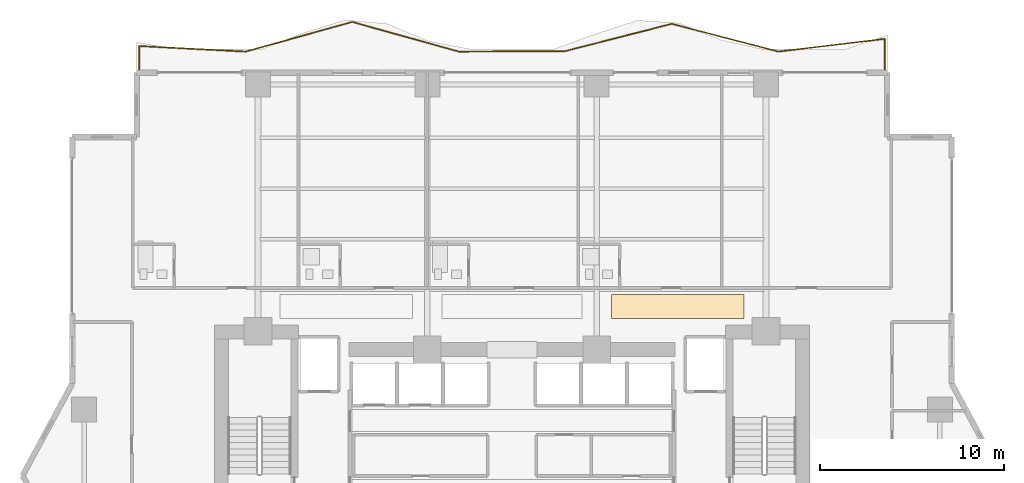
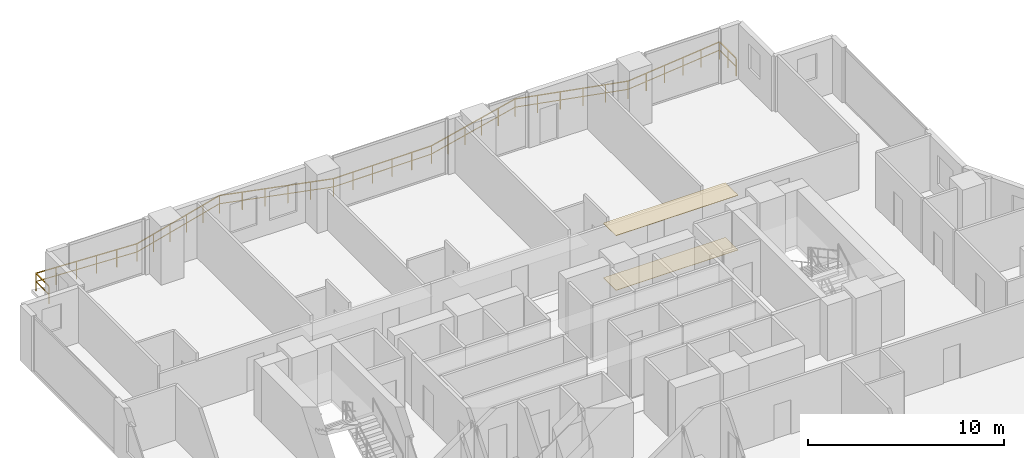
# One storey, part 27 of 28: 2 coverings, 1 railing.
"""IFC4 building model written with IfcOpenShell, lengths in metres."""

from ifc_helpers import new_model, si_unit, direction, frame, origin, origin_2d, place, context, subcontext, project, spatial, polyline, rectangle, outline, extrude, material, layer, layer_set, type_object, element, save


model = new_model("IFC4")

# Units and contexts
model_context = context("Model", 3, precision=1e-05, world=origin(), true_north=direction((0.0, 1.0)))
body_context = subcontext(model_context, "Body", "Model", "MODEL_VIEW")
ifc_project = project(units=[si_unit("LENGTHUNIT", "METRE"), si_unit("AREAUNIT", "SQUARE_METRE"), si_unit("VOLUMEUNIT", "CUBIC_METRE"), si_unit("PLANEANGLEUNIT", "RADIAN"), si_unit("MASSUNIT", "GRAM", prefix="KILO")], contexts=[model_context])

# Site, building, storey
site_placement = place(None, origin())
site = spatial("IfcSite", under=ifc_project, at=site_placement, CompositionType="ELEMENT")
building_placement = place(site_placement, origin())
building = spatial("IfcBuilding", under=site, at=building_placement, Name="Zuhayl Quay Hotel", CompositionType="ELEMENT")
storey_placement = place(building_placement, frame((0.0, 0.0, 121.199951171875)))
storey = spatial("IfcBuildingStorey", under=building, at=storey_placement, Name="L30", CompositionType="ELEMENT", Elevation=121.199951171875)

# Coverings
ifc_material_1 = material(Name="Acoustic Mineral-Fibre Gypsum Board")
ifc_layer_1 = layer(ifc_material_1, 0.02490234375, Name="Acoustic Mineral-Fibre Gypsum Board")
ifc_layer_set_1 = layer_set([ifc_layer_1], Name="Acoustic Mineral-Fibre Gypsum Board")
covering_type_1 = type_object("IfcCoveringType", Name="CV_CEIL_ACOUSTIC", PredefinedType="CEILING", material=ifc_layer_set_1)
covering_1_placement = place(storey_placement, frame((0.0, 0.0, 3.405029296875)))
element("IfcCovering", 1, at=covering_1_placement, inside=storey, type_object=covering_type_1, Name="L30 Guest Corridor Acoustic Ceiling CE", PredefinedType="CEILING", context=body_context, shape_type="SweptSolid", body=[
    extrude(outline(polyline([(5.39990234375, 15.050048828125), (12.60009765625, 15.050048828125), (12.60009765625, 16.35009765625), (5.39990234375, 16.35009765625), (5.39990234375, 15.050048828125)])), origin(), (0.0, 0.0, 1.0), 0.02490234375),
])
ifc_material_2 = material(Name="Polished Limestone Terrazzo", Category="masonry")
ifc_layer_2 = layer(ifc_material_2, 0.02001953125, Name="Polished Limestone Terrazzo", Category="masonry")
ifc_layer_set_2 = layer_set([ifc_layer_2], Name="Polished Limestone Terrazzo")
covering_type_2 = type_object("IfcCoveringType", Name="CV_FLOOR_TERRAZZO", PredefinedType="FLOORING", material=ifc_layer_set_2)
covering_2_placement = place(storey_placement, origin())
element("IfcCovering", 2, at=covering_2_placement, inside=storey, type_object=covering_type_2, Name="L30 Guest Corridor Terrazzo Runner CE", PredefinedType="FLOORING", context=body_context, shape_type="SweptSolid", body=[
    extrude(outline(polyline([(5.39990234375, 15.050048828125), (12.60009765625, 15.050048828125), (12.60009765625, 16.35009765625), (5.39990234375, 16.35009765625), (5.39990234375, 15.050048828125)])), origin(), (0.0, 0.0, 1.0), 0.02001953125),
])

# Railing
ifc_material_3 = material(Name="Anodised Aluminium and Laminated Glass", Category="aluminium")
railing_type = type_object("IfcRailingType", Name="RL_EXT_BAL_1100", PredefinedType="BALUSTRADE", material=ifc_material_3)
railing_placement = place(storey_placement, frame((-20.260009765625, 28.52001953125, 0.0)))
element("IfcRailing", 3, at=railing_placement, inside=storey, type_object=railing_type, Name="L30 Balcony and Terrace Guard GR_L30_BAL_N", PredefinedType="BALUSTRADE", context=body_context, shape_type="SweptSolid", body=[
    extrude(rectangle(XDim=0.048095703125, YDim=0.048095703125, at=origin_2d()), frame((0.0, 0.0, 1.09619140625), z_axis=(0.0, 1.0, 0.0), x_axis=(-1.0, 0.0, 0.0)), (0.0, 0.0, 1.0), 1.3212890625),
    extrude(rectangle(XDim=0.0361328125, YDim=0.0361328125, at=origin_2d()), frame((0.0, 0.0, 0.58251953125), z_axis=(0.0, 1.0, 0.0), x_axis=(-1.0, 0.0, 0.0)), (0.0, 0.0, 1.0), 1.3212890625),
    extrude(rectangle(XDim=0.048095703125, YDim=0.048095703125, at=origin_2d()), frame((0.0, 1.3212890625, 1.09619140625), z_axis=(0.998648375621, -0.051975204366, 0.0), x_axis=(0.051975204366, 0.998648375621, 0.0)), (0.0, 0.0, 1.0), 5.79638671875),
    extrude(rectangle(XDim=0.0361328125, YDim=0.0361328125, at=origin_2d()), frame((0.0, 1.3212890625, 0.58251953125), z_axis=(0.998648375621, -0.051975204366, 0.0), x_axis=(0.051975204366, 0.998648375621, 0.0)), (0.0, 0.0, 1.0), 5.79638671875),
    extrude(rectangle(XDim=0.048095703125, YDim=0.048095703125, at=origin_2d()), frame((5.78857421875, 1.02001953125, 1.09619140625), z_axis=(0.963330241212, 0.2683185539, 0.0), x_axis=(-0.2683185539, 0.963330241212, 0.0)), (0.0, 0.0, 1.0), 6.009033203125),
    extrude(rectangle(XDim=0.0361328125, YDim=0.0361328125, at=origin_2d()), frame((5.78857421875, 1.02001953125, 0.58251953125), z_axis=(0.963330241212, 0.2683185539, 0.0), x_axis=(-0.2683185539, 0.963330241212, 0.0)), (0.0, 0.0, 1.0), 6.009033203125),
    extrude(rectangle(XDim=0.048095703125, YDim=0.048095703125, at=origin_2d()), frame((11.5771484375, 2.63232421875, 1.09619140625), z_axis=(0.963330241212, -0.2683185539, 0.0), x_axis=(0.2683185539, 0.963330241212, 0.0)), (0.0, 0.0, 1.0), 6.009033203125),
    extrude(rectangle(XDim=0.0361328125, YDim=0.0361328125, at=origin_2d()), frame((11.5771484375, 2.63232421875, 0.58251953125), z_axis=(0.963330241212, -0.2683185539, 0.0), x_axis=(0.2683185539, 0.963330241212, 0.0)), (0.0, 0.0, 1.0), 6.009033203125),
    extrude(rectangle(XDim=0.048095703125, YDim=0.048095703125, at=origin_2d()), frame((17.36572265625, 1.02001953125, 1.09619140625), z_axis=(0.999988237628, 0.004850217095, 0.0), x_axis=(-0.004850217095, 0.999988237628, 0.0)), (0.0, 0.0, 1.0), 5.78857421875),
    extrude(rectangle(XDim=0.0361328125, YDim=0.0361328125, at=origin_2d()), frame((17.36572265625, 1.02001953125, 0.58251953125), z_axis=(0.999988237628, 0.004850217095, 0.0), x_axis=(-0.004850217095, 0.999988237628, 0.0)), (0.0, 0.0, 1.0), 5.78857421875),
    extrude(rectangle(XDim=0.048095703125, YDim=0.048095703125, at=origin_2d()), frame((23.154296875, 1.048095703125, 1.09619140625), z_axis=(0.968815936275, 0.247781519931, 0.0), x_axis=(-0.247781519931, 0.968815936275, 0.0)), (0.0, 0.0, 1.0), 5.974853515625),
    extrude(rectangle(XDim=0.0361328125, YDim=0.0361328125, at=origin_2d()), frame((23.154296875, 1.048095703125, 0.58251953125), z_axis=(0.968815936275, 0.247781519931, 0.0), x_axis=(-0.247781519931, 0.968815936275, 0.0)), (0.0, 0.0, 1.0), 5.974853515625),
    extrude(rectangle(XDim=0.048095703125, YDim=0.048095703125, at=origin_2d()), frame((28.94287109375, 2.528564453125, 1.09619140625), z_axis=(0.967679221393, -0.252184306579, 0.0), x_axis=(0.252184306579, 0.967679221393, 0.0)), (0.0, 0.0, 1.0), 5.98193359375),
    extrude(rectangle(XDim=0.0361328125, YDim=0.0361328125, at=origin_2d()), frame((28.94287109375, 2.528564453125, 0.58251953125), z_axis=(0.967679221393, -0.252184306579, 0.0), x_axis=(0.252184306579, 0.967679221393, 0.0)), (0.0, 0.0, 1.0), 5.98193359375),
    extrude(rectangle(XDim=0.048095703125, YDim=0.048095703125, at=origin_2d()), frame((34.7314453125, 1.02001953125, 1.09619140625), z_axis=(0.99296179669, 0.118435089036, 0.0), x_axis=(-0.118435089036, 0.99296179669, 0.0)), (0.0, 0.0, 1.0), 5.82958984375),
    extrude(rectangle(XDim=0.0361328125, YDim=0.0361328125, at=origin_2d()), frame((34.7314453125, 1.02001953125, 0.58251953125), z_axis=(0.99296179669, 0.118435089036, 0.0), x_axis=(-0.118435089036, 0.99296179669, 0.0)), (0.0, 0.0, 1.0), 5.82958984375),
    extrude(rectangle(XDim=0.048095703125, YDim=0.048095703125, at=origin_2d()), frame((40.52001953125, 1.71044921875, 1.09619140625), z_axis=(0.0, -1.0, 0.0), x_axis=(1.0, 0.0, 0.0)), (0.0, 0.0, 1.0), 1.71044921875),
    extrude(rectangle(XDim=0.0361328125, YDim=0.0361328125, at=origin_2d()), frame((40.52001953125, 1.71044921875, 0.58251953125), z_axis=(0.0, -1.0, 0.0), x_axis=(1.0, 0.0, 0.0)), (0.0, 0.0, 1.0), 1.71044921875),
    extrude(rectangle(XDim=0.0419921875, YDim=0.0419921875, at=origin_2d()), origin(), (0.0, 0.0, 1.0), 1.072021484375),
    extrude(rectangle(XDim=0.0419921875, YDim=0.0419921875, at=origin_2d()), frame((0.0, 1.3212890625, 0.0)), (0.0, 0.0, 1.0), 1.072021484375),
    extrude(rectangle(XDim=0.0419921875, YDim=0.0419921875, at=origin_2d()), frame((1.15771484375, 1.260986328125, 0.0)), (0.0, 0.0, 1.0), 1.072021484375),
    extrude(rectangle(XDim=0.0419921875, YDim=0.0419921875, at=origin_2d()), frame((2.3154296875, 1.20068359375, 0.0)), (0.0, 0.0, 1.0), 1.072021484375),
    extrude(rectangle(XDim=0.0419921875, YDim=0.0419921875, at=origin_2d()), frame((3.47314453125, 1.140625, 0.0)), (0.0, 0.0, 1.0), 1.072021484375),
    extrude(rectangle(XDim=0.0419921875, YDim=0.0419921875, at=origin_2d()), frame((4.630859375, 1.080322265625, 0.0)), (0.0, 0.0, 1.0), 1.072021484375),
    extrude(rectangle(XDim=0.0419921875, YDim=0.0419921875, at=origin_2d()), frame((5.78857421875, 1.02001953125, 0.0)), (0.0, 0.0, 1.0), 1.072021484375),
    extrude(rectangle(XDim=0.0419921875, YDim=0.0419921875, at=origin_2d()), frame((6.9462890625, 1.342529296875, 0.0)), (0.0, 0.0, 1.0), 1.072021484375),
    extrude(rectangle(XDim=0.0419921875, YDim=0.0419921875, at=origin_2d()), frame((8.10400390625, 1.6650390625, 0.0)), (0.0, 0.0, 1.0), 1.072021484375),
    extrude(rectangle(XDim=0.0419921875, YDim=0.0419921875, at=origin_2d()), frame((9.26171875, 1.9873046875, 0.0)), (0.0, 0.0, 1.0), 1.072021484375),
    extrude(rectangle(XDim=0.0419921875, YDim=0.0419921875, at=origin_2d()), frame((10.41943359375, 2.309814453125, 0.0)), (0.0, 0.0, 1.0), 1.072021484375),
    extrude(rectangle(XDim=0.0419921875, YDim=0.0419921875, at=origin_2d()), frame((11.5771484375, 2.63232421875, 0.0)), (0.0, 0.0, 1.0), 1.072021484375),
    extrude(rectangle(XDim=0.0419921875, YDim=0.0419921875, at=origin_2d()), frame((12.73486328125, 2.309814453125, 0.0)), (0.0, 0.0, 1.0), 1.072021484375),
    extrude(rectangle(XDim=0.0419921875, YDim=0.0419921875, at=origin_2d()), frame((13.892578125, 1.9873046875, 0.0)), (0.0, 0.0, 1.0), 1.072021484375),
    extrude(rectangle(XDim=0.0419921875, YDim=0.0419921875, at=origin_2d()), frame((15.05029296875, 1.6650390625, 0.0)), (0.0, 0.0, 1.0), 1.072021484375),
    extrude(rectangle(XDim=0.0419921875, YDim=0.0419921875, at=origin_2d()), frame((16.2080078125, 1.342529296875, 0.0)), (0.0, 0.0, 1.0), 1.072021484375),
    extrude(rectangle(XDim=0.0419921875, YDim=0.0419921875, at=origin_2d()), frame((17.36572265625, 1.02001953125, 0.0)), (0.0, 0.0, 1.0), 1.072021484375),
    extrude(rectangle(XDim=0.0419921875, YDim=0.0419921875, at=origin_2d()), frame((18.5234375, 1.025634765625, 0.0)), (0.0, 0.0, 1.0), 1.072021484375),
    extrude(rectangle(XDim=0.0419921875, YDim=0.0419921875, at=origin_2d()), frame((19.68115234375, 1.03125, 0.0)), (0.0, 0.0, 1.0), 1.072021484375),
    extrude(rectangle(XDim=0.0419921875, YDim=0.0419921875, at=origin_2d()), frame((20.8388671875, 1.036865234375, 0.0)), (0.0, 0.0, 1.0), 1.072021484375),
    extrude(rectangle(XDim=0.0419921875, YDim=0.0419921875, at=origin_2d()), frame((21.99658203125, 1.04248046875, 0.0)), (0.0, 0.0, 1.0), 1.072021484375),
    extrude(rectangle(XDim=0.0419921875, YDim=0.0419921875, at=origin_2d()), frame((23.154296875, 1.048095703125, 0.0)), (0.0, 0.0, 1.0), 1.072021484375),
    extrude(rectangle(XDim=0.0419921875, YDim=0.0419921875, at=origin_2d()), frame((24.31201171875, 1.34423828125, 0.0)), (0.0, 0.0, 1.0), 1.072021484375),
    extrude(rectangle(XDim=0.0419921875, YDim=0.0419921875, at=origin_2d()), frame((25.4697265625, 1.640380859375, 0.0)), (0.0, 0.0, 1.0), 1.072021484375),
    extrude(rectangle(XDim=0.0419921875, YDim=0.0419921875, at=origin_2d()), frame((26.62744140625, 1.936279296875, 0.0)), (0.0, 0.0, 1.0), 1.072021484375),
    extrude(rectangle(XDim=0.0419921875, YDim=0.0419921875, at=origin_2d()), frame((27.78515625, 2.232421875, 0.0)), (0.0, 0.0, 1.0), 1.072021484375),
    extrude(rectangle(XDim=0.0419921875, YDim=0.0419921875, at=origin_2d()), frame((28.94287109375, 2.528564453125, 0.0)), (0.0, 0.0, 1.0), 1.072021484375),
    extrude(rectangle(XDim=0.0419921875, YDim=0.0419921875, at=origin_2d()), frame((30.1005859375, 2.226806640625, 0.0)), (0.0, 0.0, 1.0), 1.072021484375),
    extrude(rectangle(XDim=0.0419921875, YDim=0.0419921875, at=origin_2d()), frame((31.25830078125, 1.925048828125, 0.0)), (0.0, 0.0, 1.0), 1.072021484375),
    extrude(rectangle(XDim=0.0419921875, YDim=0.0419921875, at=origin_2d()), frame((32.416015625, 1.62353515625, 0.0)), (0.0, 0.0, 1.0), 1.072021484375),
    extrude(rectangle(XDim=0.0419921875, YDim=0.0419921875, at=origin_2d()), frame((33.57373046875, 1.32177734375, 0.0)), (0.0, 0.0, 1.0), 1.072021484375),
    extrude(rectangle(XDim=0.0419921875, YDim=0.0419921875, at=origin_2d()), frame((34.7314453125, 1.02001953125, 0.0)), (0.0, 0.0, 1.0), 1.072021484375),
    extrude(rectangle(XDim=0.0419921875, YDim=0.0419921875, at=origin_2d()), frame((35.88916015625, 1.158203125, 0.0)), (0.0, 0.0, 1.0), 1.072021484375),
    extrude(rectangle(XDim=0.0419921875, YDim=0.0419921875, at=origin_2d()), frame((37.046875, 1.296142578125, 0.0)), (0.0, 0.0, 1.0), 1.072021484375),
    extrude(rectangle(XDim=0.0419921875, YDim=0.0419921875, at=origin_2d()), frame((38.20458984375, 1.434326171875, 0.0)), (0.0, 0.0, 1.0), 1.072021484375),
    extrude(rectangle(XDim=0.0419921875, YDim=0.0419921875, at=origin_2d()), frame((39.3623046875, 1.572265625, 0.0)), (0.0, 0.0, 1.0), 1.072021484375),
    extrude(rectangle(XDim=0.0419921875, YDim=0.0419921875, at=origin_2d()), frame((40.52001953125, 1.71044921875, 0.0)), (0.0, 0.0, 1.0), 1.072021484375),
    extrude(rectangle(XDim=0.0419921875, YDim=0.0419921875, at=origin_2d()), frame((40.52001953125, 0.855224609375, 0.0)), (0.0, 0.0, 1.0), 1.072021484375),
    extrude(rectangle(XDim=0.0419921875, YDim=0.0419921875, at=origin_2d()), frame((40.52001953125, 0.0, 0.0)), (0.0, 0.0, 1.0), 1.072021484375),
])

save(model, "model.ifc")
